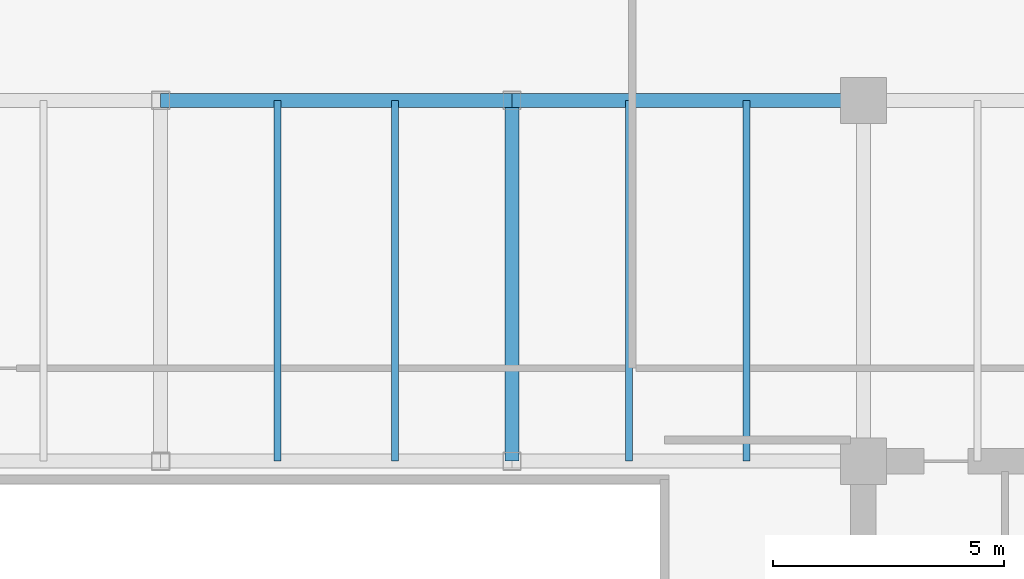
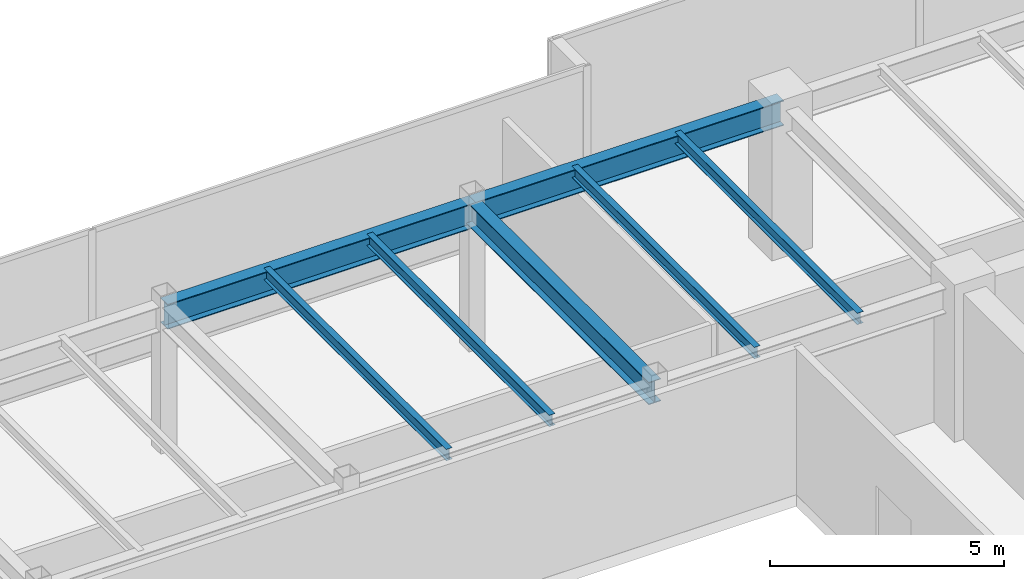
# One storey, part 18 of 33: 7 beams.
"""IFC4 building model written with IfcOpenShell, lengths in metres."""

from ifc_helpers import new_model, si_unit, direction, frame, origin, origin_2d, place, context, subcontext, project, spatial, i_section, extrude, source, transform, mapped, material, material_profile, profile_set, type_object, type_shapes, element, save


model = new_model("IFC4")

# Units and contexts
model_context = context("Model", 3, precision=1e-05, world=origin(), true_north=direction((0.0, 1.0)))
body_context = subcontext(model_context, "Body", "Model", "MODEL_VIEW")
ifc_project = project(units=[si_unit("LENGTHUNIT", "METRE"), si_unit("AREAUNIT", "SQUARE_METRE"), si_unit("VOLUMEUNIT", "CUBIC_METRE"), si_unit("PLANEANGLEUNIT", "RADIAN"), si_unit("MASSUNIT", "GRAM", prefix="KILO")], contexts=[model_context])

# Site, building, storey
site_placement = place(None, origin())
site = spatial("IfcSite", under=ifc_project, at=site_placement, CompositionType="ELEMENT")
building_placement = place(site_placement, origin())
building = spatial("IfcBuilding", under=site, at=building_placement, Name="Haelvirn Gate Laboratories", CompositionType="ELEMENT")
storey_placement = place(building_placement, frame((0.0, 0.0, 209.60009765625)))
storey = spatial("IfcBuildingStorey", under=building, at=storey_placement, Name="L50", CompositionType="ELEMENT", Elevation=209.60009765625)

# Beams
ifc_material = material(Name="Steel SM355", Category="steel")
ifc_material_profile_1 = material_profile(ifc_material, i_section(OverallWidth=0.14990234375, OverallDepth=0.300048828125, WebThickness=0.006591796875, FlangeThickness=0.009033203125, at=origin_2d()), Name="H-300x150x6.5x9")
ifc_profile_set_1 = profile_set([ifc_material_profile_1], Name="Steel SM355")
beam_type_1 = type_object("IfcBeamType", Name="BM-J-300", PredefinedType="JOIST", material=ifc_profile_set_1)
shared_shape_1 = source(origin(), body_context, "Body", "SweptSolid", [
    extrude(i_section(OverallWidth=0.14990234375, OverallDepth=0.300048828125, WebThickness=0.006591796875, FlangeThickness=0.009033203125, at=origin_2d()), origin(), (0.0, 0.0, 1.0), 7.800048828125),
])
type_shapes(beam_type_1, [shared_shape_1])
for number, where, z_axis, x_axis, name in (
    (1, (39.929931640625, 33.800048828125, 3.64990234375), (0.0, 1.0, 0.0), (-1.0, 0.0, 0.0), "L50 Composite Lab Joist North X39.93"),
    (2, (42.469970703125, 33.800048828125, 3.64990234375), (0.0, 1.0, 0.0), (-1.0, 0.0, 0.0), "L50 Composite Lab Joist North X42.47"),
    (3, (47.530029296875, 33.800048828125, 3.64990234375), (0.0, 1.0, 0.0), (-1.0, 0.0, 0.0), "L50 Composite Lab Joist North X47.53"),
    (4, (50.070068359375, 33.800048828125, 3.64990234375), (0.0, 1.0, 0.0), (-1.0, 0.0, 0.0), "L50 Composite Lab Joist North X50.07"),
):
    element("IfcBeam", number, at=place(storey_placement, frame(where, z_axis=z_axis, x_axis=x_axis)), inside=storey, type_object=beam_type_1, Name=name, PredefinedType="JOIST", context=body_context, shape_type="MappedRepresentation", body=[
        mapped(shared_shape_1, transform((0.0, 0.0, 0.0), scale=1.0)),
    ])
ifc_material_profile_2 = material_profile(ifc_material, i_section(OverallWidth=0.300048828125, OverallDepth=0.587890625, WebThickness=0.011962890625, FlangeThickness=0.02001953125, at=origin_2d()), Name="H-588x300x12x20")
ifc_profile_set_2 = profile_set([ifc_material_profile_2], Name="Steel SM355")
beam_type_2 = type_object("IfcBeamType", Name="BM-G-588", PredefinedType="BEAM", material=ifc_profile_set_2)
shared_shape_2 = source(origin(), body_context, "Body", "SweptSolid", [
    extrude(i_section(OverallWidth=0.300048828125, OverallDepth=0.587890625, WebThickness=0.011962890625, FlangeThickness=0.02001953125, at=origin_2d()), origin(), (0.0, 0.0, 1.0), 7.800048828125),
])
type_shapes(beam_type_2, [shared_shape_2])
beam_placement = place(storey_placement, frame((45.0, 33.800048828125, 3.505859375), z_axis=(0.0, 1.0, 0.0), x_axis=(-1.0, 0.0, 0.0)))
element("IfcBeam", 5, at=beam_placement, inside=storey, type_object=beam_type_2, Name="L50 Frame Girder X45.0 (33.8-41.6)", PredefinedType="BEAM", context=body_context, shape_type="MappedRepresentation", body=[
    mapped(shared_shape_2, transform((0.0, 0.0, 0.0), scale=1.0)),
])
ifc_material_profile_3 = material_profile(ifc_material, i_section(OverallWidth=0.300048828125, OverallDepth=0.64990234375, WebThickness=0.012939453125, FlangeThickness=0.02197265625, at=origin_2d()), Name="H-650x300x13x22")
ifc_profile_set_3 = profile_set([ifc_material_profile_3], Name="Steel SM355")
beam_type_3 = type_object("IfcBeamType", Name="BM-G-650", PredefinedType="BEAM", material=ifc_profile_set_3)
shared_shape_3 = source(origin(), body_context, "Body", "SweptSolid", [
    extrude(i_section(OverallWidth=0.300048828125, OverallDepth=0.64990234375, WebThickness=0.012939453125, FlangeThickness=0.02197265625, at=origin_2d()), origin(), (0.0, 0.0, 1.0), 7.60009765625),
])
type_shapes(beam_type_3, [shared_shape_3])
for number, where, z_axis, x_axis, name in (
    (6, (37.39990234375, 41.60009765625, 3.474853515625), (1.0, 0.0, 0.0), (0.0, 1.0, 0.0), "L50 Primary Girder Y41.6 (37.4-45.0)"),
    (7, (45.0, 41.60009765625, 3.474853515625), (1.0, 0.0, 0.0), (0.0, 1.0, 0.0), "L50 Primary Girder Y41.6 (45.0-52.6)"),
):
    element("IfcBeam", number, at=place(storey_placement, frame(where, z_axis=z_axis, x_axis=x_axis)), inside=storey, type_object=beam_type_3, Name=name, PredefinedType="BEAM", context=body_context, shape_type="MappedRepresentation", body=[
        mapped(shared_shape_3, transform((0.0, 0.0, 0.0), scale=1.0)),
    ])

save(model, "model.ifc")
